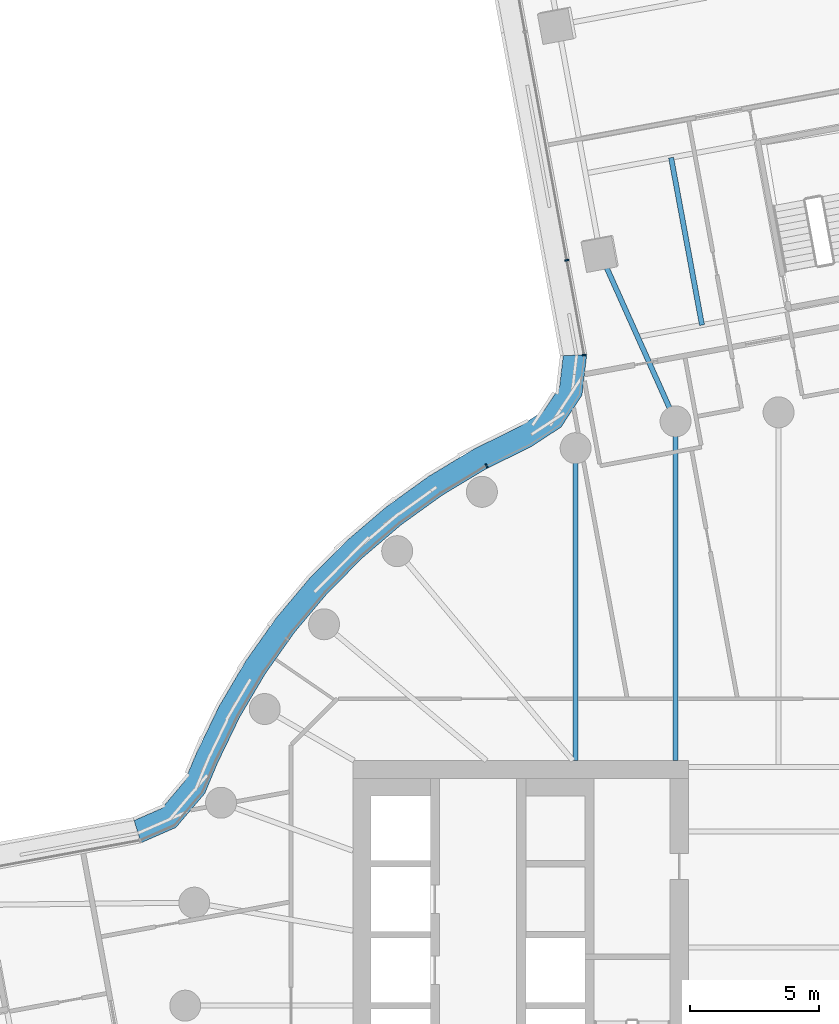
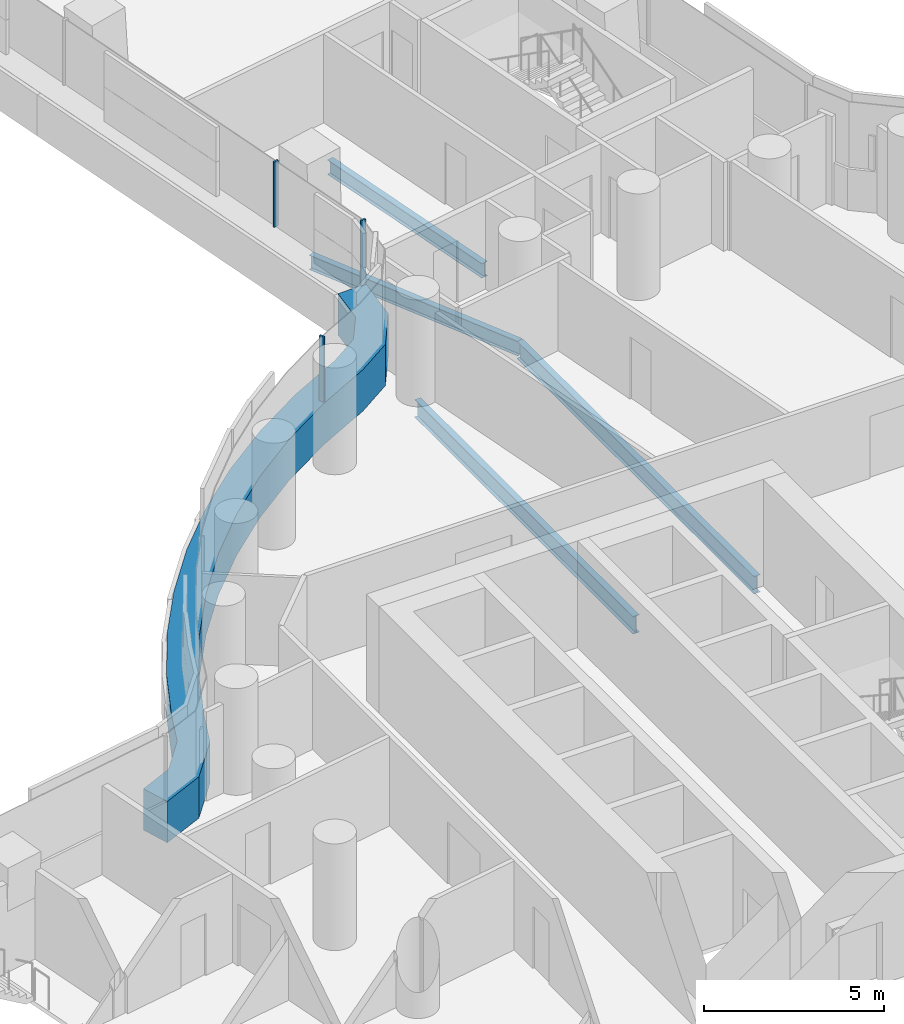
# One storey, part 15 of 33: 4 beams, 4 members, 2 elements without a shape of their own.
"""IFC4 building model written with IfcOpenShell, lengths in metres."""

from ifc_helpers import new_model, si_unit, direction, frame, origin, origin_2d, place, context, subcontext, project, spatial, polyline, rectangle, i_section, outline, extrude, material, layer, layer_set, material_profile, profile_set, type_object, element, aggregate, save


model = new_model("IFC4")

# Units and contexts
model_context = context("Model", 3, precision=1e-05, world=origin(), true_north=direction((0.0, 1.0)))
body_context = subcontext(model_context, "Body", "Model", "MODEL_VIEW")
ifc_project = project(units=[si_unit("LENGTHUNIT", "METRE"), si_unit("AREAUNIT", "SQUARE_METRE"), si_unit("VOLUMEUNIT", "CUBIC_METRE"), si_unit("PLANEANGLEUNIT", "RADIAN"), si_unit("MASSUNIT", "GRAM", prefix="KILO")], contexts=[model_context])

# Site, building, storey
site_placement = place(None, origin())
site = spatial("IfcSite", under=ifc_project, at=site_placement, CompositionType="ELEMENT")
building_placement = place(site_placement, origin())
building = spatial("IfcBuilding", under=site, at=building_placement, Name="Tamarind Cross Interchange Tower", CompositionType="ELEMENT")
storey_placement = place(building_placement, frame((0.0, 0.0, 71.5)))
storey = spatial("IfcBuildingStorey", under=building, at=storey_placement, Name="L16", CompositionType="ELEMENT", Elevation=71.5)

# Beams
ifc_material_1 = material(Name="Steel Q355B", Category="steel")
ifc_material_profile_1 = material_profile(ifc_material_1, i_section(OverallWidth=0.198974609375, OverallDepth=0.49609375, WebThickness=0.009033203125, FlangeThickness=0.013916015625, FilletRadius=0.012939453125, at=origin_2d()), Name="HN 496x199x9x14")
ifc_profile_set_1 = profile_set([ifc_material_profile_1], Name="Steel Q355B")
beam_type_1 = type_object("IfcBeamType", Name="Composite beam HN 496x199x9x14 Q355B", PredefinedType="BEAM", material=ifc_profile_set_1)
beam_1_placement = place(storey_placement, frame((-6.9140625, 29.1650390625, -0.387939453125), z_axis=(0.40904608475, -0.912513726226, 0.0), x_axis=(0.912513726226, 0.40904608475, 0.0)))
element("IfcBeam", 1, at=beam_1_placement, inside=storey, type_object=beam_type_1, Name="Beam N-linkep", PredefinedType="BEAM", context=body_context, shape_type="SweptSolid", body=[
    extrude(i_section(OverallWidth=0.198974609375, OverallDepth=0.49609375, WebThickness=0.009033203125, FlangeThickness=0.013916015625, FilletRadius=0.012939453125, at=origin_2d()), origin(), (0.0, 0.0, 1.0), 7.138916015625),
])
beam_2_placement = place(storey_placement, frame((-2.96923828125, 26.38427734375, -0.387939453125), z_axis=(-0.181368615756, 0.983415184558, 0.0), x_axis=(-0.983415184558, -0.181368615756, 0.0)))
element("IfcBeam", 2, at=beam_2_placement, inside=storey, type_object=beam_type_1, Name="Beam N-stripp", PredefinedType="BEAM", context=body_context, shape_type="SweptSolid", body=[
    extrude(i_section(OverallWidth=0.198974609375, OverallDepth=0.49609375, WebThickness=0.009033203125, FlangeThickness=0.013916015625, FilletRadius=0.012939453125, at=origin_2d()), origin(), (0.0, 0.0, 1.0), 6.599853515625),
])
ifc_material_profile_2 = material_profile(ifc_material_1, i_section(OverallWidth=0.198974609375, OverallDepth=0.595947265625, WebThickness=0.010009765625, FlangeThickness=0.014892578125, FilletRadius=0.012939453125, at=origin_2d()), Name="HN 596x199x10x15")
ifc_profile_set_2 = profile_set([ifc_material_profile_2], Name="Steel Q355B")
beam_type_2 = type_object("IfcBeamType", Name="Composite beam HN 596x199x10x15 Q355B", PredefinedType="BEAM", material=ifc_profile_set_2)
beam_3_placement = place(storey_placement, frame((-3.993896484375, 22.650634765625, -0.43798828125), z_axis=(0.0, -1.0, 0.0), x_axis=(1.0, 0.0, 0.0)))
element("IfcBeam", 3, at=beam_3_placement, inside=storey, type_object=beam_type_2, Name="Beam HH10", PredefinedType="BEAM", context=body_context, shape_type="SweptSolid", body=[
    extrude(i_section(OverallWidth=0.198974609375, OverallDepth=0.595947265625, WebThickness=0.010009765625, FlangeThickness=0.014892578125, FilletRadius=0.012939453125, at=origin_2d()), origin(), (0.0, 0.0, 1.0), 13.150634765625),
])
beam_4_placement = place(storey_placement, frame((-7.866455078125, 21.613037109375, -0.43798828125), z_axis=(0.0, -1.0, 0.0), x_axis=(1.0, 0.0, 0.0)))
element("IfcBeam", 4, at=beam_4_placement, inside=storey, type_object=beam_type_2, Name="Beam HH11", PredefinedType="BEAM", context=body_context, shape_type="SweptSolid", body=[
    extrude(i_section(OverallWidth=0.198974609375, OverallDepth=0.595947265625, WebThickness=0.010009765625, FlangeThickness=0.014892578125, FilletRadius=0.012939453125, at=origin_2d()), origin(), (0.0, 0.0, 1.0), 12.113037109375),
])

# Curtain wall, member
ifc_material_2 = material(Name="Aluminium 6063-T6", Category="aluminium")
ifc_layer = layer(ifc_material_2, 0.159912109375)
ifc_layer_set = layer_set([ifc_layer], Name="Aluminium 6063-T6")
curtain_wall_type = type_object("IfcCurtainWallType", Name="Office curtain wall, 9.0 m bays", PredefinedType="NOTDEFINED", material=ifc_layer_set)
curtain_wall_1_placement = place(storey_placement, origin())
curtain_wall_1 = element("IfcCurtainWall", 5, at=curtain_wall_1_placement, inside=storey, type_object=curtain_wall_type, Name="CWS-L16-14", PredefinedType="NOTDEFINED")
ifc_material_3 = material(Name="Aluminium and insulated spandrel panel", Category="aluminium")
member_type_1 = type_object("IfcMemberType", Name="Floor-edge blade transom", PredefinedType="USERDEFINED", material=ifc_material_3)
member_1_placement = place(storey_placement, origin())
member_1 = element("IfcMember", 6, at=member_1_placement, type_object=member_type_1, Name="CWT-L16-14", ObjectType="TRANSOM", PredefinedType="USERDEFINED", context=body_context, shape_type="SweptSolid", body=[
    extrude(outline(polyline([(-7.435546875, 25.23046875), (-7.62158203125, 23.6611328125), (-8.432861328125, 22.426025390625), (-9.58447265625, 21.672119140625), (-11.367431640625, 20.791015625), (-13.045654296875, 19.78125), (-14.634521484375, 18.636474609375), (-16.12353515625, 17.3642578125), (-17.50244140625, 15.973388671875), (-18.76171875, 14.4736328125), (-19.892822265625, 12.874755859375), (-20.88818359375, 11.188232421875), (-21.74267578125, 9.4208984375), (-22.24609375, 8.221435546875), (-23.361572265625, 6.90625), (-24.71728515625, 6.311767578125), (-24.983154296875, 7.177978515625), (-23.913330078125, 7.64697265625), (-23.022216796875, 8.69775390625), (-22.563232421875, 9.791259765625), (-21.68212890625, 11.613525390625), (-20.64892578125, 13.3642578125), (-19.474853515625, 15.023681640625), (-18.167724609375, 16.580810546875), (-16.736572265625, 18.0244140625), (-15.19091796875, 19.344970703125), (-13.54150390625, 20.533203125), (-11.799560546875, 21.581298828125), (-10.03173828125, 22.455078125), (-9.082275390625, 23.076416015625), (-8.490234375, 23.977783203125), (-8.34521484375, 25.201904296875), (-7.435546875, 25.23046875)])), origin(), (0.0, 0.0, 1.0), 1.39990234375),
])

curtain_wall_2_placement = place(storey_placement, origin())
curtain_wall_2 = element("IfcCurtainWall", 7, at=curtain_wall_2_placement, inside=storey, type_object=curtain_wall_type, Name="CWS-L16-13", PredefinedType="NOTDEFINED")
ifc_material_profile_3 = material_profile(ifc_material_2, rectangle(XDim=0.06005859375, YDim=0.159912109375, at=origin_2d()), Name="Mullion CW1")
ifc_profile_set_3 = profile_set([ifc_material_profile_3], Name="Aluminium 6063-T6")
member_type_2 = type_object("IfcMemberType", Name="Mullion CW1", PredefinedType="MULLION", material=ifc_profile_set_3)
member_2_placement = place(storey_placement, frame((-8.208251953125, 28.896240234375, 1.39990234375), z_axis=(0.0, 0.0, 1.0), x_axis=(0.180086190758, -0.98365083434, 0.0)))
member_2 = element("IfcMember", 8, at=member_2_placement, type_object=member_type_2, Name="CWM-L16-13-02", PredefinedType="MULLION", context=body_context, shape_type="SweptSolid", body=[
    extrude(rectangle(XDim=0.06005859375, YDim=0.159912109375, at=origin_2d()), origin(), (0.0, 0.0, 1.0), 2.210205078125),
])
aggregate(curtain_wall_2, [member_2])

# Member
member_3_placement = place(storey_placement, frame((-7.53662109375, 25.227294921875, 1.39990234375), z_axis=(0.0, 0.0, 1.0), x_axis=(0.03151477182, -0.999503286216, 0.0)))
member_3 = element("IfcMember", 9, at=member_3_placement, type_object=member_type_2, Name="CWM-L16-14-00", PredefinedType="MULLION", context=body_context, shape_type="SweptSolid", body=[
    extrude(rectangle(XDim=0.06005859375, YDim=0.159912109375, at=origin_2d()), origin(), (0.0, 0.0, 1.0), 2.210205078125),
])

member_4_placement = place(storey_placement, frame((-11.31982421875, 20.92626953125, 1.39990234375), z_axis=(0.0, 0.0, 1.0), x_axis=(-0.896492548518, -0.443058811505, 0.0)))
member_4 = element("IfcMember", 10, at=member_4_placement, type_object=member_type_2, Name="CWM-L16-14-01", PredefinedType="MULLION", context=body_context, shape_type="SweptSolid", body=[
    extrude(rectangle(XDim=0.06005859375, YDim=0.159912109375, at=origin_2d()), origin(), (0.0, 0.0, 1.0), 2.210205078125),
])

aggregate(curtain_wall_1, [member_3, member_4, member_1])

save(model, "model.ifc")
